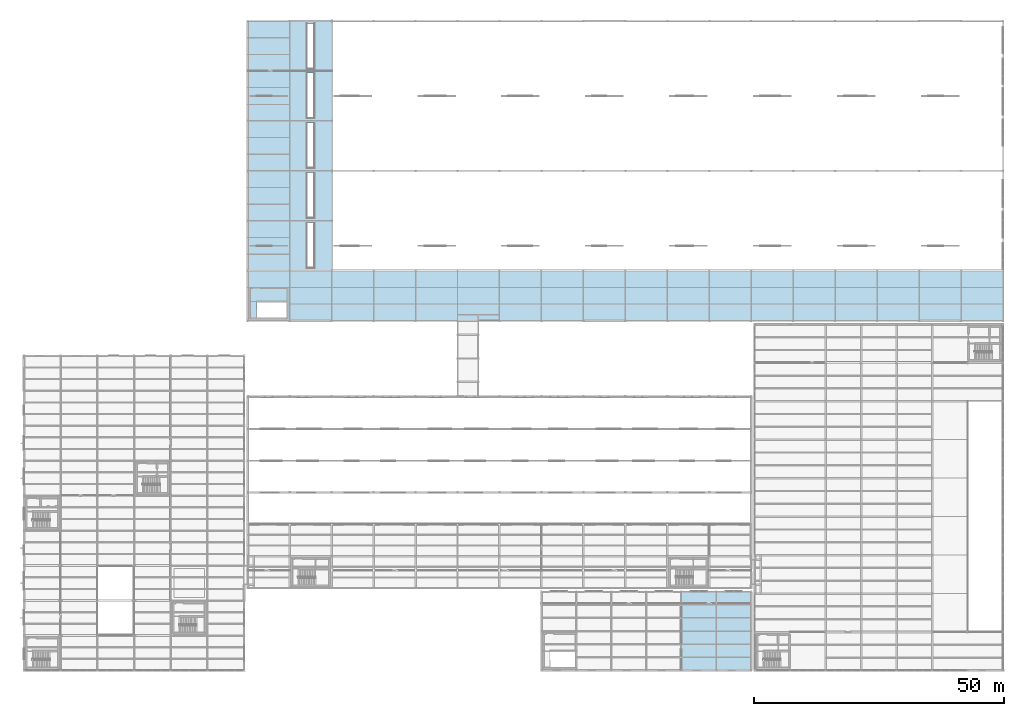
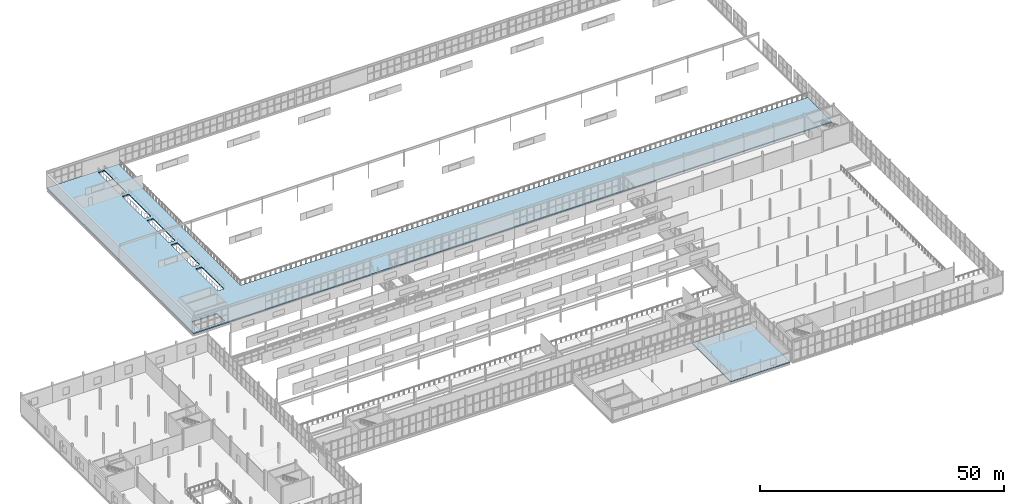
# One storey, part 185 of 218: 2 slabs.
"""IFC4 building model written with IfcOpenShell, lengths in metres."""

import ifcopenshell
import ifcopenshell.guid

model = None  # the IFC model being written
_history = None  # IfcOwnerHistory: only IFC2X3 demands one
_inside = {}  # id of a spatial element -> (the spatial element, [elements in it])
_under = {}  # id of a project, library or spatial element -> (it, [spatial elements below it])
_declared = {}  # id of a project -> (the project, [libraries it declares])
_typed = {}  # id of a type object -> (the type object, [elements of that type])
_made_of = {}  # id of a material, layer set ... -> (it, [elements and type objects made of it])


def new_model(schema):
    """Start an empty IFC model of exactly this schema.

    Asked for "IFC4X3", IfcOpenShell would pick the latest addendum, in which some entities
    have other attributes; the version numbers below select the first issue.
    IFC2X3 requires an IfcOwnerHistory on every rooted entity: one is made here for all.
    """
    global model, _history
    if schema == "IFC4X3":
        model = ifcopenshell.file(schema_version=(4, 3, 0, 0))
    else:
        model = ifcopenshell.file(schema=schema)
    _inside.clear()
    _under.clear()
    _declared.clear()
    _typed.clear()
    _made_of.clear()
    _history = None
    if model.schema == "IFC2X3":
        org = make("IfcOrganization", Name="unknown")
        user = make(
            "IfcPersonAndOrganization",
            ThePerson=make("IfcPerson", FamilyName="unknown"),
            TheOrganization=org,
        )
        app = make(
            "IfcApplication",
            ApplicationDeveloper=org,
            Version="unknown",
            ApplicationFullName="unknown",
            ApplicationIdentifier="unknown",
        )
        _history = make(
            "IfcOwnerHistory",
            OwningUser=user,
            OwningApplication=app,
            ChangeAction="ADDED",
            CreationDate=0,
        )
    return model


def make(cls, **values):
    """One entity of the class cls with the attributes given. An attribute that is None is left unset."""
    return model.create_entity(
        cls, **{name: value for name, value in values.items() if value is not None}
    )


def rooted(cls, **values):
    """An entity with a GlobalId (a new one), such as an element, a storey or a relation."""
    return make(cls, GlobalId=ifcopenshell.guid.new(), OwnerHistory=_history, **values)


def si_unit(unit_type, name, prefix=None):
    """IfcSIUnit, for example si_unit("LENGTHUNIT", "METRE", prefix="MILLI")."""
    return make("IfcSIUnit", UnitType=unit_type, Prefix=prefix, Name=name)


def assignment(units):
    """IfcUnitAssignment: the units of a project."""
    return None if units is None else make("IfcUnitAssignment", Units=units)


def point(xyz):
    """IfcCartesianPoint."""
    return None if xyz is None else make("IfcCartesianPoint", Coordinates=xyz)


def direction(xyz):
    """IfcDirection."""
    return None if xyz is None else make("IfcDirection", DirectionRatios=xyz)


def frame(location, z_axis=None, x_axis=None):
    """IfcAxis2Placement3D, a coordinate frame: its origin and axes. An axis left out is left unset."""
    return make(
        "IfcAxis2Placement3D",
        Location=point(location),
        Axis=direction(z_axis),
        RefDirection=direction(x_axis),
    )


def origin():
    """The frame at (0, 0, 0) with its axes left unset."""
    return frame((0.0, 0.0, 0.0))


def place(relative_to, where):
    """IfcLocalPlacement: puts the frame where relative to a parent placement (None: the world)."""
    return make(
        "IfcLocalPlacement", PlacementRelTo=relative_to, RelativePlacement=where
    )


def context(
    kind, dimensions, precision=None, world=None, true_north=None, identifier=None
):
    """IfcGeometricRepresentationContext, for example the 3D "Model" context."""
    return make(
        "IfcGeometricRepresentationContext",
        ContextIdentifier=identifier,
        ContextType=kind,
        CoordinateSpaceDimension=dimensions,
        Precision=precision,
        WorldCoordinateSystem=world,
        TrueNorth=true_north,
    )


def subcontext(parent, identifier, kind, view, scale=None):
    """IfcGeometricRepresentationSubContext, for example "Body" below "Model"."""
    return make(
        "IfcGeometricRepresentationSubContext",
        ContextIdentifier=identifier,
        ContextType=kind,
        ParentContext=parent,
        TargetScale=scale,
        TargetView=view,
    )


def project(units=None, contexts=None):
    """IfcProject with its units and contexts."""
    return rooted(
        "IfcProject",
        Name="project",
        RepresentationContexts=contexts,
        UnitsInContext=assignment(units),
    )


def spatial(cls, under=None, at=None, **own):
    """A site, building, storey or space (cls), placed at a placement, below another one or the project."""
    s = rooted(cls, ObjectPlacement=at, **own)
    if under is not None:
        _under.setdefault(under.id(), (under, []))[1].append(s)
    return s


def polyline(points):
    """IfcPolyline through the points."""
    return make("IfcPolyline", Points=[point(p) for p in points])


def outline(outer, holes=None, kind="AREA"):
    """IfcArbitraryClosedProfileDef: a profile drawn as a closed curve; with holes, ...WithVoids."""
    if holes is None:
        return make("IfcArbitraryClosedProfileDef", ProfileType=kind, OuterCurve=outer)
    return make(
        "IfcArbitraryProfileDefWithVoids",
        ProfileType=kind,
        OuterCurve=outer,
        InnerCurves=holes,
    )


def extrude(swept, where, along, depth):
    """IfcExtrudedAreaSolid: the profile swept, set in the frame where, extruded along a direction by depth."""
    return make(
        "IfcExtrudedAreaSolid",
        SweptArea=swept,
        Position=where,
        ExtrudedDirection=direction(along),
        Depth=depth,
    )


def shape(context_of_items, identifier, shape_type, items):
    """IfcShapeRepresentation: the items that make up one representation, for example the "Body"."""
    return make(
        "IfcShapeRepresentation",
        ContextOfItems=context_of_items,
        RepresentationIdentifier=identifier,
        RepresentationType=shape_type,
        Items=items,
    )


def material(Name=None, Category=None):
    """IfcMaterial."""
    return make("IfcMaterial", Name=Name, Category=Category)


def layer(
    of_material, thickness, ventilated=None, Name=None, Category=None, Priority=None
):
    """IfcMaterialLayer: one layer of a wall or slab, of a material (None: an air gap)."""
    return make(
        "IfcMaterialLayer",
        Material=of_material,
        LayerThickness=thickness,
        IsVentilated=ventilated,
        Name=Name,
        Category=Category,
        Priority=Priority,
    )


def layer_set(layers, Name=None):
    """IfcMaterialLayerSet."""
    return make("IfcMaterialLayerSet", MaterialLayers=layers, LayerSetName=Name)


def made_of(thing, what):
    """Note that an element or type object is made of a material, layer set ...; save() writes the relation."""
    if what is not None:
        _made_of.setdefault(what.id(), (what, []))[1].append(thing)
    return thing


def type_object(cls, material=None, **own):
    """A type object (cls), such as IfcWallType, which elements share."""
    return made_of(rooted(cls, **own), material)


def element(
    cls,
    number,
    at=None,
    inside=None,
    cuts=None,
    type_object=None,
    material=None,
    context=None,
    identifier="Body",
    shape_type=None,
    held_by="IfcProductDefinitionShape",
    body=None,
    shapes=None,
    **own,
):
    """One element of the class cls, such as IfcWall. Its Tag is "e" and its number.

    at: its placement. inside: the storey or other place that contains it. cuts: it is an
    opening in that element (IfcRelVoidsElement). A single representation is given by context,
    identifier, shape_type and body (its items); several are given by shapes. held_by: the class
    of the entity that holds the representations. save() writes the other relations.
    """
    e = rooted(cls, Tag="e%d" % number, ObjectPlacement=at, **own)
    if body is not None:
        shapes = [shape(context, identifier, shape_type, body)]
    if shapes is not None:
        e.Representation = make(held_by, Representations=shapes)
    if inside is not None:
        _inside.setdefault(inside.id(), (inside, []))[1].append(e)
    if cuts is not None:
        rooted(
            "IfcRelVoidsElement", RelatingBuildingElement=cuts, RelatedOpeningElement=e
        )
    if type_object is not None:
        _typed.setdefault(type_object.id(), (type_object, []))[1].append(e)
    return made_of(e, material)


def aggregate(whole, parts):
    """IfcRelAggregates: a whole, such as a stair, and the parts it consists of."""
    return rooted("IfcRelAggregates", RelatingObject=whole, RelatedObjects=parts)


def save(model, path):
    """Write the relations noted so far, then the file.

    IfcRelAggregates (storeys below a building ...), IfcRelContainedInSpatialStructure (elements
    in a storey), IfcRelDefinesByType, IfcRelAssociatesMaterial and IfcRelDeclares: one each for
    every whole, place, type object, material and project.
    """
    for whole, parts in _under.values():
        aggregate(whole, parts)
    for where, things in _inside.values():
        rooted(
            "IfcRelContainedInSpatialStructure",
            RelatedElements=things,
            RelatingStructure=where,
        )
    for kind, things in _typed.values():
        rooted("IfcRelDefinesByType", RelatedObjects=things, RelatingType=kind)
    for what, things in _made_of.values():
        rooted("IfcRelAssociatesMaterial", RelatedObjects=things, RelatingMaterial=what)
    for by, libraries in _declared.values():
        rooted("IfcRelDeclares", RelatingContext=by, RelatedDefinitions=libraries)
    model.write(path)


model = new_model("IFC4")

# Units and contexts
model_context = context("Model", 3, precision=1e-05, world=origin(), true_north=direction((0.0, 1.0)))
body_context = subcontext(model_context, "Body", "Model", "MODEL_VIEW")
ifc_project = project(units=[si_unit("LENGTHUNIT", "METRE"), si_unit("AREAUNIT", "SQUARE_METRE"), si_unit("VOLUMEUNIT", "CUBIC_METRE"), si_unit("PLANEANGLEUNIT", "RADIAN"), si_unit("MASSUNIT", "GRAM", prefix="KILO")], contexts=[model_context])

# Site, building, storey
site_placement = place(None, origin())
site = spatial("IfcSite", under=ifc_project, at=site_placement, CompositionType="ELEMENT")
building_placement = place(site_placement, origin())
building = spatial("IfcBuilding", under=site, at=building_placement, Name="Kazenagashi Tramway Depot", CompositionType="ELEMENT")
storey_placement = place(building_placement, frame((0.0, 0.0, 6.0)))
storey = spatial("IfcBuildingStorey", under=building, at=storey_placement, Name="L02", CompositionType="ELEMENT", Elevation=6.0)

# Slabs
ifc_material = material(Name="Concrete Fc36", Category="concrete")
ifc_layer_1 = layer(ifc_material, 0.225)
ifc_layer_set_1 = layer_set([ifc_layer_1], Name="Concrete Fc36")
slab_type_1 = type_object("IfcSlabType", Name="SL-05", PredefinedType="FLOOR", material=ifc_layer_set_1)
slab_1_placement = place(storey_placement, frame((0.0, 0.0, -0.225)))
element("IfcSlab", 1, at=slab_1_placement, inside=storey, type_object=slab_type_1, Name="Substation L02 Slab 3 SLAB-075", PredefinedType="FLOOR", context=body_context, shape_type="SweptSolid", body=[
    extrude(outline(polyline([(131.6, 0.0), (145.6, 0.0), (145.6, 15.8), (131.6, 15.8), (131.6, 0.0)])), origin(), (0.0, 0.0, 1.0), 0.225),
])
ifc_layer_2 = layer(ifc_material, 0.265)
ifc_layer_set_2 = layer_set([ifc_layer_2], Name="Concrete Fc36")
slab_type_2 = type_object("IfcSlabType", Name="SL-08", PredefinedType="FLOOR", material=ifc_layer_set_2)
slab_2_placement = place(storey_placement, frame((0.0, 0.0, -0.265)))
element("IfcSlab", 2, at=slab_2_placement, inside=storey, type_object=slab_type_2, Name="Pantograph L-Mezzanine Slab SLAB-056", PredefinedType="FLOOR", context=body_context, shape_type="SweptSolid", body=[
    extrude(outline(polyline([(44.8, 130.0), (61.75, 130.0), (61.75, 80.0), (196.0, 80.0), (196.0, 70.0), (44.8, 70.0), (44.8, 130.0)]), holes=[polyline([(46.56, 70.61), (52.59, 70.61), (52.59, 73.7), (46.56, 73.7), (46.56, 70.61)]), polyline([(56.645, 89.64), (56.645, 80.57), (58.155, 80.57), (58.155, 89.64), (56.645, 89.64)]), polyline([(56.62, 99.64), (56.62, 90.57), (58.18, 90.57), (58.18, 99.64), (56.62, 99.64)]), polyline([(56.645, 100.57), (58.155, 100.57), (58.155, 109.64), (56.645, 109.64), (56.645, 100.57)]), polyline([(56.62, 119.64), (56.62, 110.57), (58.18, 110.57), (58.18, 119.64), (56.62, 119.64)]), polyline([(56.645, 129.54), (56.645, 120.47), (58.155, 120.47), (58.155, 129.54), (56.645, 129.54)])]), origin(), (0.0, 0.0, 1.0), 0.265),
])

save(model, "model.ifc")
